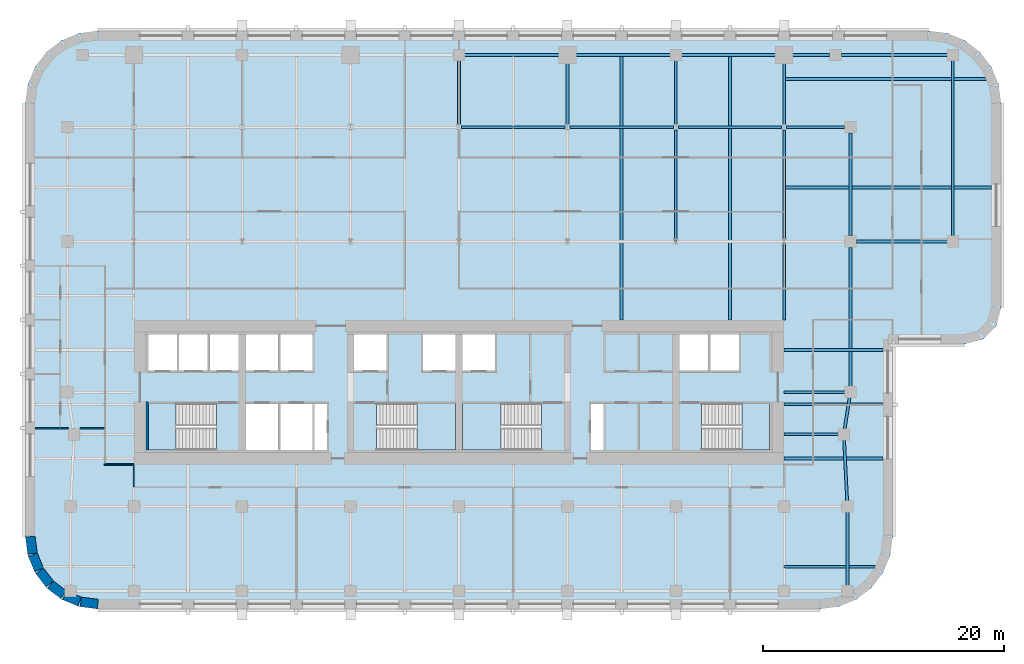
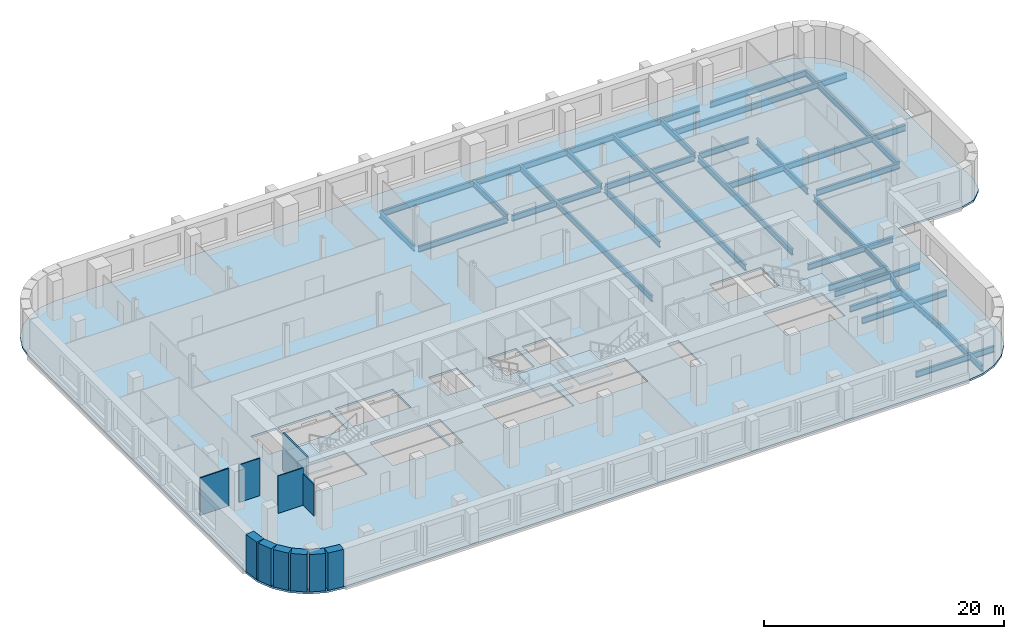
# One storey, part 2 of 10: 30 beams, 11 walls, 5 slabs, 4 elements without a shape of their own.
"""IFC4 building model written with IfcOpenShell, lengths in metres."""

from ifc_helpers import new_model, si_unit, direction, frame, frame_2d, origin, origin_2d, place, context, subcontext, project, spatial, polyline, rectangle, i_section, outline, extrude, material, layer, layer_set, material_profile, profile_set, type_object, element, aggregate, save


model = new_model("IFC4")

# Units and contexts
model_context = context("Model", 3, precision=1e-05, world=origin(), true_north=direction((0.0, 1.0)))
body_context = subcontext(model_context, "Body", "Model", "MODEL_VIEW")
ifc_project = project(units=[si_unit("LENGTHUNIT", "METRE"), si_unit("AREAUNIT", "SQUARE_METRE"), si_unit("VOLUMEUNIT", "CUBIC_METRE"), si_unit("PLANEANGLEUNIT", "RADIAN"), si_unit("MASSUNIT", "GRAM", prefix="KILO")], contexts=[model_context])

# Site, building, storey
site_placement = place(None, origin())
site = spatial("IfcSite", under=ifc_project, at=site_placement, CompositionType="ELEMENT")
building_placement = place(site_placement, origin())
building = spatial("IfcBuilding", under=site, at=building_placement, Name="Zellij Exchange Tower", CompositionType="ELEMENT")
storey_placement = place(building_placement, frame((0.0, 0.0, 124.5)))
storey = spatial("IfcBuildingStorey", under=building, at=storey_placement, Name="L27", CompositionType="ELEMENT", Elevation=124.5)

# Beams
ifc_material_1 = material(Name="Structural steel ASTM A992 Gr 50", Category="steel")
ifc_material_profile_1 = material_profile(ifc_material_1, i_section(OverallWidth=0.227783203125, OverallDepth=0.60205078125, WebThickness=0.010498046875, FlangeThickness=0.014892578125, at=origin_2d()), Name="W24x68")
ifc_profile_set_1 = profile_set([ifc_material_profile_1], Name="Structural steel ASTM A992 Gr 50")
beam_type_1 = type_object("IfcBeamType", Name="STR-BEAM W24x68", PredefinedType="BEAM", material=ifc_profile_set_1)
for number, where, z_axis, x_axis, name in (
    (1, (13.5, -2.0, -0.5009765625), (0.0, 1.0, 0.0), (-1.0, 0.0, 0.0), "B5"),
    (2, (22.5, -2.0, -0.5009765625), (0.0, 1.0, 0.0), (-1.0, 0.0, 0.0), "B5"),
):
    element("IfcBeam", number, at=place(storey_placement, frame(where, z_axis=z_axis, x_axis=x_axis)), inside=storey, type_object=beam_type_1, Name=name, PredefinedType="BEAM", context=body_context, shape_type="SweptSolid", body=[
        extrude(i_section(OverallWidth=0.227783203125, OverallDepth=0.60205078125, WebThickness=0.010498046875, FlangeThickness=0.014892578125, at=origin_2d()), origin(), (0.0, 0.0, 1.0), 22.114501953125),
    ])
beam_1_placement = place(storey_placement, frame((27.0, -22.5, -0.5009765625), z_axis=(1.0, 0.0, 0.0), x_axis=(0.0, 1.0, 0.0)))
element("IfcBeam", 3, at=beam_1_placement, inside=storey, type_object=beam_type_1, Name="B5", PredefinedType="BEAM", context=body_context, shape_type="SweptSolid", body=[
    extrude(i_section(OverallWidth=0.227783203125, OverallDepth=0.60205078125, WebThickness=0.010498046875, FlangeThickness=0.014892578125, at=origin_2d()), origin(), (0.0, 0.0, 1.0), 7.537109375),
])
for number, where, z_axis, x_axis, name in (
    (4, (27.0, -13.5, -0.5009765625), (1.0, 0.0, 0.0), (0.0, 1.0, 0.0), "B5"),
    (5, (27.0, -9.0, -0.5009765625), (1.0, 0.0, 0.0), (0.0, 1.0, 0.0), "B5"),
    (6, (27.0, -4.5, -0.5009765625), (1.0, 0.0, 0.0), (0.0, 1.0, 0.0), "B5"),
):
    element("IfcBeam", number, at=place(storey_placement, frame(where, z_axis=z_axis, x_axis=x_axis)), inside=storey, type_object=beam_type_1, Name=name, PredefinedType="BEAM", context=body_context, shape_type="SweptSolid", body=[
        extrude(i_section(OverallWidth=0.227783203125, OverallDepth=0.60205078125, WebThickness=0.010498046875, FlangeThickness=0.014892578125, at=origin_2d()), origin(), (0.0, 0.0, 1.0), 8.199951171875),
    ])
beam_2_placement = place(storey_placement, frame((27.0, 9.0, -0.5009765625), z_axis=(1.0, 0.0, 0.0), x_axis=(0.0, 1.0, 0.0)))
element("IfcBeam", 7, at=beam_2_placement, inside=storey, type_object=beam_type_1, Name="B5", PredefinedType="BEAM", context=body_context, shape_type="SweptSolid", body=[
    extrude(i_section(OverallWidth=0.227783203125, OverallDepth=0.60205078125, WebThickness=0.010498046875, FlangeThickness=0.014892578125, at=origin_2d()), origin(), (0.0, 0.0, 1.0), 17.199951171875),
])
beam_3_placement = place(storey_placement, frame((27.0, 18.0, -0.5009765625), z_axis=(1.0, 0.0, 0.0), x_axis=(0.0, 1.0, 0.0)))
element("IfcBeam", 8, at=beam_3_placement, inside=storey, type_object=beam_type_1, Name="B5", PredefinedType="BEAM", context=body_context, shape_type="SweptSolid", body=[
    extrude(i_section(OverallWidth=0.227783203125, OverallDepth=0.60205078125, WebThickness=0.010498046875, FlangeThickness=0.014892578125, at=origin_2d()), origin(), (0.0, 0.0, 1.0), 16.743896484375),
])
ifc_material_profile_2 = material_profile(ifc_material_1, i_section(OverallWidth=0.22900390625, OverallDepth=0.612060546875, WebThickness=0.011962890625, FlangeThickness=0.01953125, at=origin_2d()), Name="W24x84")
ifc_profile_set_2 = profile_set([ifc_material_profile_2], Name="Structural steel ASTM A992 Gr 50")
beam_type_2 = type_object("IfcBeamType", Name="STR-EDGE GIRDER W24x84", PredefinedType="BEAM", material=ifc_profile_set_2)
beam_4_placement = place(storey_placement, frame((32.25, -24.5, -0.506103515625), z_axis=(0.0, 1.0, 0.0), x_axis=(-1.0, 0.0, 0.0)))
element("IfcBeam", 9, at=beam_4_placement, inside=storey, type_object=beam_type_2, Name="EB6", PredefinedType="BEAM", context=body_context, shape_type="SweptSolid", body=[
    extrude(i_section(OverallWidth=0.22900390625, OverallDepth=0.612060546875, WebThickness=0.011962890625, FlangeThickness=0.01953125, at=origin_2d()), origin(), (0.0, 0.0, 1.0), 7.0),
])
beam_5_placement = place(storey_placement, frame((32.25, -17.5, -0.506103515625), z_axis=(-0.049945724537, 0.998751933465, 0.0), x_axis=(-0.998751933465, -0.049945724537, 0.0)))
element("IfcBeam", 10, at=beam_5_placement, inside=storey, type_object=beam_type_2, Name="EB6", PredefinedType="BEAM", context=body_context, shape_type="SweptSolid", body=[
    extrude(i_section(OverallWidth=0.22900390625, OverallDepth=0.612060546875, WebThickness=0.011962890625, FlangeThickness=0.01953125, at=origin_2d()), origin(), (0.0, 0.0, 1.0), 6.007568359375),
])
beam_6_placement = place(storey_placement, frame((31.949951171875, -11.5, -0.506103515625), z_axis=(0.155251283593, 0.987875011802, 0.0), x_axis=(-0.987875011802, 0.155251283593, 0.0)))
element("IfcBeam", 11, at=beam_6_placement, inside=storey, type_object=beam_type_2, Name="EB6", PredefinedType="BEAM", context=body_context, shape_type="SweptSolid", body=[
    extrude(i_section(OverallWidth=0.22900390625, OverallDepth=0.612060546875, WebThickness=0.011962890625, FlangeThickness=0.01953125, at=origin_2d()), origin(), (0.0, 0.0, 1.0), 3.54296875),
])
beam_7_placement = place(storey_placement, frame((32.5, -8.0, -0.506103515625), z_axis=(0.0, 1.0, 0.0), x_axis=(-1.0, 0.0, 0.0)))
element("IfcBeam", 12, at=beam_7_placement, inside=storey, type_object=beam_type_2, Name="EB6", PredefinedType="BEAM", context=body_context, shape_type="SweptSolid", body=[
    extrude(i_section(OverallWidth=0.22900390625, OverallDepth=0.612060546875, WebThickness=0.011962890625, FlangeThickness=0.01953125, at=origin_2d()), origin(), (0.0, 0.0, 1.0), 12.0),
])
beam_8_placement = place(storey_placement, frame((32.5, 5.0, -0.506103515625), z_axis=(0.0, 1.0, 0.0), x_axis=(-1.0, 0.0, 0.0)))
element("IfcBeam", 13, at=beam_8_placement, inside=storey, type_object=beam_type_2, Name="EB6", PredefinedType="BEAM", context=body_context, shape_type="SweptSolid", body=[
    extrude(i_section(OverallWidth=0.22900390625, OverallDepth=0.612060546875, WebThickness=0.011962890625, FlangeThickness=0.01953125, at=origin_2d()), origin(), (0.0, 0.0, 1.0), 8.5),
])
beam_9_placement = place(storey_placement, frame((41.0, 4.5, -0.506103515625), z_axis=(0.0, 1.0, 0.0), x_axis=(-1.0, 0.0, 0.0)))
element("IfcBeam", 14, at=beam_9_placement, inside=storey, type_object=beam_type_2, Name="EB6", PredefinedType="BEAM", context=body_context, shape_type="SweptSolid", body=[
    extrude(i_section(OverallWidth=0.22900390625, OverallDepth=0.612060546875, WebThickness=0.011962890625, FlangeThickness=0.01953125, at=origin_2d()), origin(), (0.0, 0.0, 1.0), 15.5),
])
ifc_material_profile_3 = material_profile(ifc_material_1, i_section(OverallWidth=0.22900390625, OverallDepth=0.612060546875, WebThickness=0.011962890625, FlangeThickness=0.01953125, at=origin_2d()), Name="W24x84")
ifc_profile_set_3 = profile_set([ifc_material_profile_3], Name="Structural steel ASTM A992 Gr 50")
beam_type_3 = type_object("IfcBeamType", Name="STR-GIRDER W24x84", PredefinedType="BEAM", material=ifc_profile_set_3)
beam_10_placement = place(storey_placement, frame((27.0, -11.5, -0.506103515625), z_axis=(1.0, 0.0, 0.0), x_axis=(0.0, 1.0, 0.0)))
element("IfcBeam", 15, at=beam_10_placement, inside=storey, type_object=beam_type_3, Name="G4", PredefinedType="BEAM", context=body_context, shape_type="SweptSolid", body=[
    extrude(i_section(OverallWidth=0.22900390625, OverallDepth=0.612060546875, WebThickness=0.011962890625, FlangeThickness=0.01953125, at=origin_2d()), origin(), (0.0, 0.0, 1.0), 4.949951171875),
])
beam_11_placement = place(storey_placement, frame((27.0, -8.0, -0.506103515625), z_axis=(1.0, 0.0, 0.0), x_axis=(0.0, 1.0, 0.0)))
element("IfcBeam", 16, at=beam_11_placement, inside=storey, type_object=beam_type_3, Name="G4", PredefinedType="BEAM", context=body_context, shape_type="SweptSolid", body=[
    extrude(i_section(OverallWidth=0.22900390625, OverallDepth=0.612060546875, WebThickness=0.011962890625, FlangeThickness=0.01953125, at=origin_2d()), origin(), (0.0, 0.0, 1.0), 5.5),
])
beam_12_placement = place(storey_placement, frame((33.0, 4.5, -0.506103515625), z_axis=(1.0, 0.0, 0.0), x_axis=(0.0, 1.0, 0.0)))
element("IfcBeam", 17, at=beam_12_placement, inside=storey, type_object=beam_type_3, Name="G4", PredefinedType="BEAM", context=body_context, shape_type="SweptSolid", body=[
    extrude(i_section(OverallWidth=0.22900390625, OverallDepth=0.612060546875, WebThickness=0.011962890625, FlangeThickness=0.01953125, at=origin_2d()), origin(), (0.0, 0.0, 1.0), 8.0),
])
beam_13_placement = place(storey_placement, frame((0.20947265625, 14.0, -0.506103515625), z_axis=(1.0, 0.0, 0.0), x_axis=(0.0, 1.0, 0.0)))
element("IfcBeam", 18, at=beam_13_placement, inside=storey, type_object=beam_type_3, Name="G4", PredefinedType="BEAM", context=body_context, shape_type="SweptSolid", body=[
    extrude(i_section(OverallWidth=0.22900390625, OverallDepth=0.612060546875, WebThickness=0.011962890625, FlangeThickness=0.01953125, at=origin_2d()), origin(), (0.0, 0.0, 1.0), 8.580810546875),
])
for number, where, z_axis, x_axis, name in (
    (19, (9.209716796875, 14.0, -0.506103515625), (1.0, 0.0, 0.0), (0.0, 1.0, 0.0), "G4"),
    (20, (18.209716796875, 14.0, -0.506103515625), (1.0, 0.0, 0.0), (0.0, 1.0, 0.0), "G4"),
):
    element("IfcBeam", number, at=place(storey_placement, frame(where, z_axis=z_axis, x_axis=x_axis)), inside=storey, type_object=beam_type_3, Name=name, PredefinedType="BEAM", context=body_context, shape_type="SweptSolid", body=[
        extrude(i_section(OverallWidth=0.22900390625, OverallDepth=0.612060546875, WebThickness=0.011962890625, FlangeThickness=0.01953125, at=origin_2d()), origin(), (0.0, 0.0, 1.0), 8.58056640625),
    ])
beam_14_placement = place(storey_placement, frame((27.209716796875, 14.0, -0.506103515625), z_axis=(1.0, 0.0, 0.0), x_axis=(0.0, 1.0, 0.0)))
element("IfcBeam", 21, at=beam_14_placement, inside=storey, type_object=beam_type_3, Name="G4", PredefinedType="BEAM", context=body_context, shape_type="SweptSolid", body=[
    extrude(i_section(OverallWidth=0.22900390625, OverallDepth=0.612060546875, WebThickness=0.011962890625, FlangeThickness=0.01953125, at=origin_2d()), origin(), (0.0, 0.0, 1.0), 4.790283203125),
])
beam_15_placement = place(storey_placement, frame((0.0, 20.0, -0.506103515625), z_axis=(1.0, 0.0, 0.0), x_axis=(0.0, 1.0, 0.0)))
element("IfcBeam", 22, at=beam_15_placement, inside=storey, type_object=beam_type_3, Name="G4", PredefinedType="BEAM", context=body_context, shape_type="SweptSolid", body=[
    extrude(i_section(OverallWidth=0.22900390625, OverallDepth=0.612060546875, WebThickness=0.011962890625, FlangeThickness=0.01953125, at=origin_2d()), origin(), (0.0, 0.0, 1.0), 18.0),
])
beam_16_placement = place(storey_placement, frame((18.0, 20.0, -0.506103515625), z_axis=(1.0, 0.0, 0.0), x_axis=(0.0, 1.0, 0.0)))
element("IfcBeam", 23, at=beam_16_placement, inside=storey, type_object=beam_type_3, Name="G4", PredefinedType="BEAM", context=body_context, shape_type="SweptSolid", body=[
    extrude(i_section(OverallWidth=0.22900390625, OverallDepth=0.612060546875, WebThickness=0.011962890625, FlangeThickness=0.01953125, at=origin_2d()), origin(), (0.0, 0.0, 1.0), 12.75),
])
beam_17_placement = place(storey_placement, frame((31.75, 20.0, -0.506103515625), z_axis=(1.0, 0.0, 0.0), x_axis=(0.0, 1.0, 0.0)))
element("IfcBeam", 24, at=beam_17_placement, inside=storey, type_object=beam_type_3, Name="G4", PredefinedType="BEAM", context=body_context, shape_type="SweptSolid", body=[
    extrude(i_section(OverallWidth=0.22900390625, OverallDepth=0.612060546875, WebThickness=0.011962890625, FlangeThickness=0.01953125, at=origin_2d()), origin(), (0.0, 0.0, 1.0), 9.25),
])
for number, where, z_axis, x_axis, name in (
    (25, (0.0, 14.227294921875, -0.506103515625), (0.0, 1.0, 0.0), (-1.0, 0.0, 0.0), "G4"),
    (26, (9.0, 14.227294921875, -0.506103515625), (0.0, 1.0, 0.0), (-1.0, 0.0, 0.0), "G4"),
):
    element("IfcBeam", number, at=place(storey_placement, frame(where, z_axis=z_axis, x_axis=x_axis)), inside=storey, type_object=beam_type_3, Name=name, PredefinedType="BEAM", context=body_context, shape_type="SweptSolid", body=[
        extrude(i_section(OverallWidth=0.22900390625, OverallDepth=0.612060546875, WebThickness=0.011962890625, FlangeThickness=0.01953125, at=origin_2d()), origin(), (0.0, 0.0, 1.0), 5.772705078125),
    ])
beam_18_placement = place(storey_placement, frame((18.0, 4.5, -0.506103515625), z_axis=(0.0, 1.0, 0.0), x_axis=(-1.0, 0.0, 0.0)))
element("IfcBeam", 27, at=beam_18_placement, inside=storey, type_object=beam_type_3, Name="G4", PredefinedType="BEAM", context=body_context, shape_type="SweptSolid", body=[
    extrude(i_section(OverallWidth=0.22900390625, OverallDepth=0.612060546875, WebThickness=0.011962890625, FlangeThickness=0.01953125, at=origin_2d()), origin(), (0.0, 0.0, 1.0), 9.272705078125),
])
beam_19_placement = place(storey_placement, frame((18.0, 14.227294921875, -0.506103515625), z_axis=(0.0, 1.0, 0.0), x_axis=(-1.0, 0.0, 0.0)))
element("IfcBeam", 28, at=beam_19_placement, inside=storey, type_object=beam_type_3, Name="G4", PredefinedType="BEAM", context=body_context, shape_type="SweptSolid", body=[
    extrude(i_section(OverallWidth=0.22900390625, OverallDepth=0.612060546875, WebThickness=0.011962890625, FlangeThickness=0.01953125, at=origin_2d()), origin(), (0.0, 0.0, 1.0), 5.772705078125),
])
beam_20_placement = place(storey_placement, frame((27.0, -2.0, -0.506103515625), z_axis=(0.0, 1.0, 0.0), x_axis=(-1.0, 0.0, 0.0)))
element("IfcBeam", 29, at=beam_20_placement, inside=storey, type_object=beam_type_3, Name="G4", PredefinedType="BEAM", context=body_context, shape_type="SweptSolid", body=[
    extrude(i_section(OverallWidth=0.22900390625, OverallDepth=0.612060546875, WebThickness=0.011962890625, FlangeThickness=0.01953125, at=origin_2d()), origin(), (0.0, 0.0, 1.0), 15.772705078125),
])
beam_21_placement = place(storey_placement, frame((27.0, 14.227294921875, -0.506103515625), z_axis=(0.0, 1.0, 0.0), x_axis=(-1.0, 0.0, 0.0)))
element("IfcBeam", 30, at=beam_21_placement, inside=storey, type_object=beam_type_3, Name="G4", PredefinedType="BEAM", context=body_context, shape_type="SweptSolid", body=[
    extrude(i_section(OverallWidth=0.22900390625, OverallDepth=0.612060546875, WebThickness=0.011962890625, FlangeThickness=0.01953125, at=origin_2d()), origin(), (0.0, 0.0, 1.0), 5.772705078125),
])

# Stair, slab
ifc_material_2 = material(Name="Concrete C40/50", Category="concrete")
stair_type = type_object("IfcStairType", Name="CORE-ST exit stair 1850 wide", PredefinedType="HALF_TURN_STAIR", material=ifc_material_2)
stair_1_placement = place(storey_placement, origin())
stair_1 = element("IfcStair", 31, at=stair_1_placement, inside=storey, type_object=stair_type, Name="L27 exit stair ST1", PredefinedType="HALF_TURN_STAIR")
ifc_layer_1 = layer(ifc_material_2, 0.199951171875)
ifc_layer_set_1 = layer_set([ifc_layer_1], Name="Concrete C40/50")
slab_type_1 = type_object("IfcSlabType", Name="CORE-SL stair landing 200", PredefinedType="LANDING", material=ifc_layer_set_1)
slab_1_placement = place(storey_placement, frame((0.0, 0.0, 1.800048828125)))
slab_1 = element("IfcSlab", 32, at=slab_1_placement, type_object=slab_type_1, Name="ST1 landing 1", PredefinedType="LANDING", context=body_context, shape_type="SweptSolid", body=[
    extrude(outline(polyline([(-23.510009765625, -8.949951171875), (-25.800048828125, -8.949951171875), (-25.800048828125, -12.800048828125), (-23.510009765625, -12.800048828125), (-23.510009765625, -8.949951171875)])), origin(), (0.0, 0.0, 1.0), 0.199951171875),
])
aggregate(stair_1, [slab_1])

stair_2_placement = place(storey_placement, origin())
stair_2 = element("IfcStair", 33, at=stair_2_placement, inside=storey, type_object=stair_type, Name="L27 exit stair ST2", PredefinedType="HALF_TURN_STAIR")
slab_2_placement = place(storey_placement, frame((0.0, 0.0, 1.800048828125)))
slab_2 = element("IfcSlab", 34, at=slab_2_placement, type_object=slab_type_1, Name="ST2 landing 1", PredefinedType="LANDING", context=body_context, shape_type="SweptSolid", body=[
    extrude(outline(polyline([(-3.489990234375, -12.800048828125), (-0.300048828125, -12.800048828125), (-0.300048828125, -8.949951171875), (-3.489990234375, -8.949951171875), (-3.489990234375, -12.800048828125)])), origin(), (0.0, 0.0, 1.0), 0.199951171875),
])
aggregate(stair_2, [slab_2])

stair_3_placement = place(storey_placement, origin())
stair_3 = element("IfcStair", 35, at=stair_3_placement, inside=storey, type_object=stair_type, Name="L27 exit stair ST3", PredefinedType="HALF_TURN_STAIR")
slab_3_placement = place(storey_placement, frame((0.0, 0.0, 1.800048828125)))
slab_3 = element("IfcSlab", 36, at=slab_3_placement, type_object=slab_type_1, Name="ST3 landing 1", PredefinedType="LANDING", context=body_context, shape_type="SweptSolid", body=[
    extrude(outline(polyline([(3.489990234375, -8.949951171875), (0.300048828125, -8.949951171875), (0.300048828125, -12.800048828125), (3.489990234375, -12.800048828125), (3.489990234375, -8.949951171875)])), origin(), (0.0, 0.0, 1.0), 0.199951171875),
])
aggregate(stair_3, [slab_3])

stair_4_placement = place(storey_placement, origin())
stair_4 = element("IfcStair", 37, at=stair_4_placement, inside=storey, type_object=stair_type, Name="L27 exit stair ST4", PredefinedType="HALF_TURN_STAIR")
slab_4_placement = place(storey_placement, frame((0.0, 0.0, 1.800048828125)))
slab_4 = element("IfcSlab", 38, at=slab_4_placement, type_object=slab_type_1, Name="ST4 landing 1", PredefinedType="LANDING", context=body_context, shape_type="SweptSolid", body=[
    extrude(outline(polyline([(23.510009765625, -12.800048828125), (25.800048828125, -12.800048828125), (25.800048828125, -8.949951171875), (23.510009765625, -8.949951171875), (23.510009765625, -12.800048828125)])), origin(), (0.0, 0.0, 1.0), 0.199951171875),
])
aggregate(stair_4, [slab_4])

# Slab
ifc_layer_2 = layer(ifc_material_2, 0.199951171875)
ifc_layer_set_2 = layer_set([ifc_layer_2], Name="Concrete C40/50")
slab_type_2 = type_object("IfcSlabType", Name="STR-FLOOR SLAB 200 C40/50", PredefinedType="FLOOR", material=ifc_layer_set_2)
slab_5_placement = place(storey_placement, frame((0.0, 0.0, -0.2001953125)))
element("IfcSlab", 39, at=slab_5_placement, inside=storey, type_object=slab_type_2, Name="Floor L27", PredefinedType="FLOOR", context=body_context, shape_type="SweptSolid", body=[
    extrude(outline(polyline([(35.795654296875, -21.552978515625), (35.1962890625, -23.0), (34.24267578125, -24.24267578125), (33.0, -25.1962890625), (31.552978515625, -25.795654296875), (30.0, -26.0), (-30.0, -26.0), (-31.552978515625, -25.795654296875), (-33.0, -25.1962890625), (-34.24267578125, -24.24267578125), (-35.1962890625, -23.0), (-35.795654296875, -21.552978515625), (-36.0, -20.0), (-36.0, 16.0), (-35.795654296875, 17.552978515625), (-35.1962890625, 19.0), (-34.24267578125, 20.24267578125), (-33.0, 21.1962890625), (-31.552978515625, 21.795654296875), (-30.0, 22.0), (39.0, 22.0), (40.552978515625, 21.795654296875), (42.0, 21.1962890625), (43.24267578125, 20.24267578125), (44.1962890625, 19.0), (44.795654296875, 17.552978515625), (45.0, 16.0), (45.0, -1.0), (44.59814453125, -2.5), (43.5, -3.59814453125), (42.0, -4.0), (36.0, -4.0), (36.0, -20.0), (35.795654296875, -21.552978515625)]), holes=[polyline([(-25.800048828125, -8.949951171875), (-25.800048828125, -12.800048828125), (-20.153076171875, -12.800048828125), (-20.153076171875, -8.949951171875), (-25.800048828125, -8.949951171875)]), polyline([(-12.14990234375, -8.949951171875), (-17.699951171875, -8.949951171875), (-17.699951171875, -12.800048828125), (-12.14990234375, -12.800048828125), (-12.14990234375, -8.949951171875)]), polyline([(-10.949951171875, -8.949951171875), (-12.0, -8.949951171875), (-12.0, -12.800048828125), (-10.949951171875, -12.800048828125), (-10.949951171875, -8.949951171875)]), polyline([(-23.39990234375, -3.199951171875), (-25.800048828125, -3.199951171875), (-25.800048828125, -6.22509765625), (-23.39990234375, -6.22509765625), (-23.39990234375, -3.199951171875)]), polyline([(-18.300048828125, -3.199951171875), (-23.25, -3.199951171875), (-23.25, -6.22509765625), (-18.300048828125, -6.22509765625), (-18.300048828125, -3.199951171875)]), polyline([(-12.14990234375, -3.199951171875), (-17.699951171875, -3.199951171875), (-17.699951171875, -6.22509765625), (-12.14990234375, -6.22509765625), (-12.14990234375, -3.199951171875)]), polyline([(-6.0, -3.199951171875), (-8.699951171875, -3.199951171875), (-8.699951171875, -6.22509765625), (-6.0, -6.22509765625), (-6.0, -3.199951171875)]), polyline([(-6.846923828125, -8.949951171875), (-6.846923828125, -12.800048828125), (-0.300048828125, -12.800048828125), (-0.300048828125, -8.949951171875), (-6.846923828125, -8.949951171875)]), polyline([(6.846923828125, -8.949951171875), (0.300048828125, -8.949951171875), (0.300048828125, -12.800048828125), (6.846923828125, -12.800048828125), (6.846923828125, -8.949951171875)]), polyline([(12.0, -8.949951171875), (10.949951171875, -8.949951171875), (10.949951171875, -12.800048828125), (12.0, -12.800048828125), (12.0, -8.949951171875)]), polyline([(25.800048828125, -8.949951171875), (20.153076171875, -8.949951171875), (20.153076171875, -12.800048828125), (25.800048828125, -12.800048828125), (25.800048828125, -8.949951171875)]), polyline([(-0.300048828125, -3.199951171875), (-3.0, -3.199951171875), (-3.0, -6.22509765625), (-0.300048828125, -6.22509765625), (-0.300048828125, -3.199951171875)]), polyline([(3.0, -3.199951171875), (0.300048828125, -3.199951171875), (0.300048828125, -6.22509765625), (3.0, -6.22509765625), (3.0, -3.199951171875)]), polyline([(23.25, -3.199951171875), (18.300048828125, -3.199951171875), (18.300048828125, -6.22509765625), (23.25, -6.22509765625), (23.25, -3.199951171875)])]), origin(), (0.0, 0.0, 1.0), 0.2001953125),
])

# Walls
ifc_material_3 = material(Name="Concrete C30/37", Category="concrete")
ifc_layer_3 = layer(ifc_material_3, 0.199951171875)
ifc_layer_set_3 = layer_set([ifc_layer_3], Name="Concrete C30/37")
wall_type_1 = type_object("IfcWallType", Name="CORE-LW 200 C30/37", PredefinedType="SHEAR", material=ifc_layer_set_3)
wall_1_placement = place(storey_placement, frame((-25.89990234375, -12.800048828125, 0.0), z_axis=(0.0, 0.0, 1.0), x_axis=(0.0, 1.0, 0.0)))
element("IfcWall", 40, at=wall_1_placement, inside=storey, type_object=wall_type_1, Name="Core wall lining end w.0 L27", PredefinedType="SHEAR", context=body_context, shape_type="SweptSolid", body=[
    extrude(rectangle(XDim=4.0, YDim=0.199951171875, at=frame_2d((2.0, 0.0))), origin(), (0.0, 0.0, 1.0), 3.800048828125),
])
ifc_material_4 = material(Name="Precast concrete C40/50", Category="concrete")
ifc_layer_4 = layer(ifc_material_4, 0.800048828125)
ifc_layer_set_4 = layer_set([ifc_layer_4], Name="Precast concrete C40/50")
wall_type_2 = type_object("IfcWallType", Name="ENV-EW1 Precast stone-piered wall 800", PredefinedType="SOLIDWALL", material=ifc_layer_set_4)
wall_2_placement = place(storey_placement, frame((-35.5966796875, -19.999755859375, 0.0), z_axis=(0.0, 0.0, 1.0), x_axis=(0.130517283865, -0.99144603414, 0.0)))
element("IfcWall", 41, at=wall_2_placement, inside=storey, type_object=wall_type_2, Name="fac.L27.27", PredefinedType="SOLIDWALL", context=body_context, shape_type="SweptSolid", body=[
    extrude(rectangle(XDim=1.408447265625, YDim=0.800048828125, at=frame_2d((0.7041015625, 0.0))), origin(), (0.0, 0.0, 1.0), 3.800048828125),
])
wall_3_placement = place(storey_placement, frame((-35.3857421875, -21.497314453125, 0.0), z_axis=(0.0, 0.0, 1.0), x_axis=(0.38276009378, -0.923847774587, 0.0)))
element("IfcWall", 42, at=wall_3_placement, inside=storey, type_object=wall_type_2, Name="fac.L27.28", PredefinedType="SOLIDWALL", context=body_context, shape_type="SweptSolid", body=[
    extrude(rectangle(XDim=1.35546875, YDim=0.800048828125, at=frame_2d((0.677734375, 0.0))), origin(), (0.0, 0.0, 1.0), 3.800048828125),
])
for number, where, z_axis, x_axis, name in (
    (43, (-34.814697265625, -22.840087890625, 0.0), (0.0, 0.0, 1.0), (0.608866226366, -0.793272915452, 0.0), "fac.L27.29"),
    (44, (-33.91552734375, -23.9892578125, 0.0), (0.0, 0.0, 1.0), (0.793272915452, -0.608866226366, 0.0), "fac.L27.30"),
):
    element("IfcWall", number, at=place(storey_placement, frame(where, z_axis=z_axis, x_axis=x_axis)), inside=storey, type_object=wall_type_2, Name=name, PredefinedType="SOLIDWALL", context=body_context, shape_type="SweptSolid", body=[
        extrude(rectangle(XDim=1.355712890625, YDim=0.800048828125, at=frame_2d((0.677734375, 0.0))), origin(), (0.0, 0.0, 1.0), 3.800048828125),
    ])
wall_4_placement = place(storey_placement, frame((-32.74951171875, -24.866943359375, 0.0), z_axis=(0.0, 0.0, 1.0), x_axis=(0.923847774587, -0.38276009378, 0.0)))
element("IfcWall", 45, at=wall_4_placement, inside=storey, type_object=wall_type_2, Name="fac.L27.31", PredefinedType="SOLIDWALL", context=body_context, shape_type="SweptSolid", body=[
    extrude(rectangle(XDim=1.35546875, YDim=0.800048828125, at=frame_2d((0.677734375, 0.0))), origin(), (0.0, 0.0, 1.0), 3.800048828125),
])
wall_5_placement = place(storey_placement, frame((-31.396240234375, -25.412841796875, 0.0), z_axis=(0.0, 0.0, 1.0), x_axis=(0.99144603414, -0.130517283865, 0.0)))
element("IfcWall", 46, at=wall_5_placement, inside=storey, type_object=wall_type_2, Name="fac.L27.32", PredefinedType="SOLIDWALL", context=body_context, shape_type="SweptSolid", body=[
    extrude(rectangle(XDim=1.408447265625, YDim=0.800048828125, at=frame_2d((0.7041015625, 0.0))), origin(), (0.0, 0.0, 1.0), 3.800048828125),
])
ifc_material_5 = material(Name="Gypsum board partition on steel studs", Category="steel")
ifc_layer_5 = layer(ifc_material_5, 0.10009765625)
ifc_layer_set_5 = layer_set([ifc_layer_5], Name="Gypsum board partition on steel studs")
wall_type_3 = type_object("IfcWallType", Name="FIT-PARTITION-100", PredefinedType="PARTITIONING", material=ifc_layer_set_5)
wall_6_placement = place(storey_placement, frame((-27.0, -15.85009765625, 0.0), z_axis=(0.0, 0.0, 1.0), x_axis=(0.0, 1.0, 0.0)))
element("IfcWall", 47, at=wall_6_placement, inside=storey, type_object=wall_type_3, Name="FIT-PARTITION-100 008", PredefinedType="PARTITIONING", context=body_context, shape_type="SweptSolid", body=[
    extrude(rectangle(XDim=1.800048828125, YDim=0.10009765625, at=frame_2d((0.89990234375, 0.0))), origin(), (0.0, 0.0, 1.0), 3.18798828125),
])
wall_7_placement = place(storey_placement, frame((-29.449951171875, -14.0, 0.0), z_axis=(0.0, 0.0, 1.0), x_axis=(1.0, 0.0, 0.0)))
element("IfcWall", 48, at=wall_7_placement, inside=storey, type_object=wall_type_3, Name="FIT-PARTITION-100 010", PredefinedType="PARTITIONING", context=body_context, shape_type="SweptSolid", body=[
    extrude(rectangle(XDim=2.449951171875, YDim=0.10009765625, at=frame_2d((1.22509765625, 0.0))), origin(), (0.0, 0.0, 1.0), 3.800048828125),
])
wall_8_placement = place(storey_placement, frame((-35.199951171875, -10.989990234375, 0.0), z_axis=(0.0, 0.0, 1.0), x_axis=(1.0, 0.0, 0.0)))
element("IfcWall", 49, at=wall_8_placement, inside=storey, type_object=wall_type_3, Name="FIT-PARTITION-100 014", PredefinedType="PARTITIONING", context=body_context, shape_type="SweptSolid", body=[
    extrude(rectangle(XDim=2.75, YDim=0.10009765625, at=frame_2d((1.375, 0.0))), origin(), (0.0, 0.0, 1.0), 3.800048828125),
])
wall_9_placement = place(storey_placement, frame((-31.449951171875, -10.989990234375, 0.0), z_axis=(0.0, 0.0, 1.0), x_axis=(1.0, 0.0, 0.0)))
element("IfcWall", 50, at=wall_9_placement, inside=storey, type_object=wall_type_3, Name="FIT-PARTITION-100 015", PredefinedType="PARTITIONING", context=body_context, shape_type="SweptSolid", body=[
    extrude(rectangle(XDim=2.0, YDim=0.10009765625, at=frame_2d((1.0, 0.0))), origin(), (0.0, 0.0, 1.0), 3.800048828125),
])

save(model, "model.ifc")
